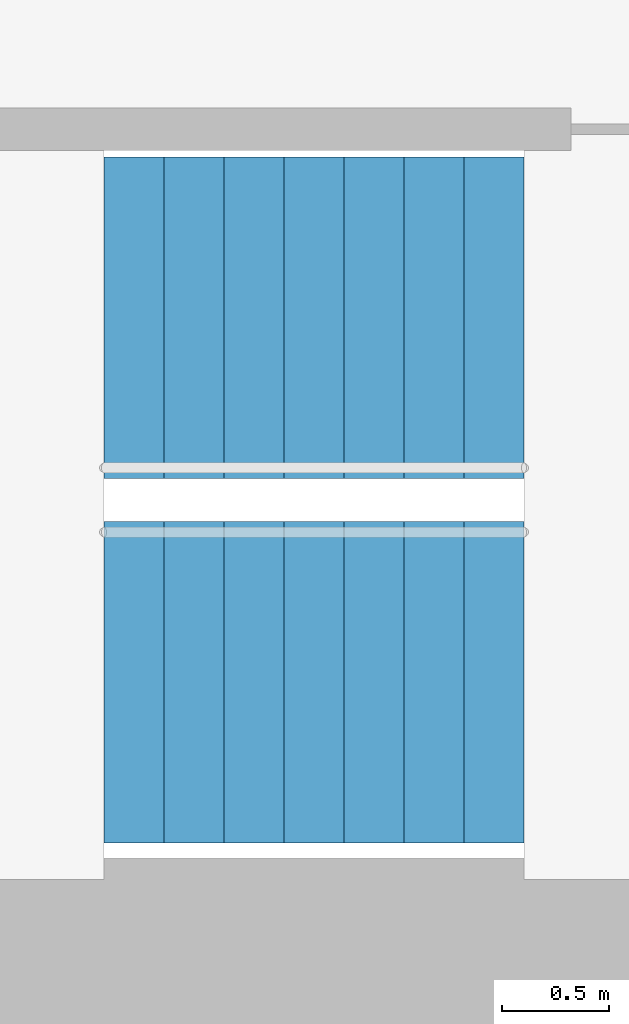
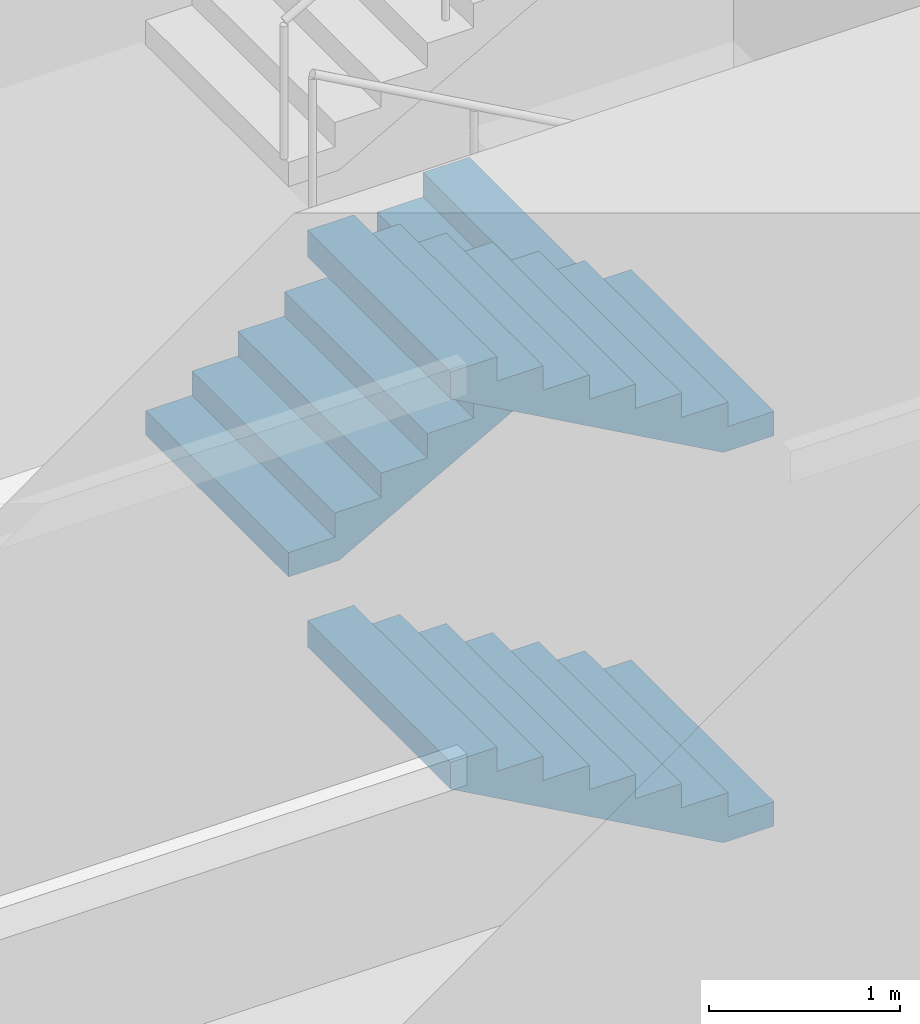
# One storey, part 32 of 73: 3 stair flights, 1 element without a shape of its own.
"""IFC4 building model written with IfcOpenShell, lengths in metres."""

from ifc_helpers import new_model, si_unit, direction, frame, origin, place, context, subcontext, project, spatial, triangles, material, type_object, element, aggregate, save


model = new_model("IFC4")

# Units and contexts
model_context = context("Model", 3, precision=1e-05, world=origin(), true_north=direction((0.0, 1.0)))
body_context = subcontext(model_context, "Body", "Model", "MODEL_VIEW")
ifc_project = project(units=[si_unit("LENGTHUNIT", "METRE"), si_unit("AREAUNIT", "SQUARE_METRE"), si_unit("VOLUMEUNIT", "CUBIC_METRE"), si_unit("PLANEANGLEUNIT", "RADIAN"), si_unit("MASSUNIT", "GRAM", prefix="KILO")], contexts=[model_context])

# Site, building, storey
site_placement = place(None, origin())
site = spatial("IfcSite", under=ifc_project, at=site_placement, CompositionType="ELEMENT")
building_placement = place(site_placement, origin())
building = spatial("IfcBuilding", under=site, at=building_placement, Name="Lantaw Convention Tower", CompositionType="ELEMENT")
storey_placement = place(building_placement, frame((0.0, 0.0, 27.0)))
storey = spatial("IfcBuildingStorey", under=building, at=storey_placement, Name="L04", CompositionType="ELEMENT", Elevation=27.0)

# Stair, stair flights
ifc_material = material(Name="Concrete C35/45", Category="concrete")
stair_type = type_object("IfcStairType", Name="Exit stair 1500 riser 156.25 in 4 flights", PredefinedType="HALF_TURN_STAIR", material=ifc_material)
stair_placement = place(storey_placement, origin())
stair = element("IfcStair", 1, at=stair_placement, inside=storey, type_object=stair_type, Name="Exit stair S2 L04", PredefinedType="HALF_TURN_STAIR")
stair_flight_type = type_object("IfcStairFlightType", Name="Stair flight 1500 riser 156.25", PredefinedType="STRAIGHT", material=ifc_material)
stair_flight_1_placement = place(storey_placement, frame((10.580078125, -5.97998046875, 0.0), z_axis=(0.0, 0.0, 1.0), x_axis=(-1.0, 0.0, 0.0)))
stair_flight_1 = element("IfcStairFlight", 2, at=stair_flight_1_placement, type_object=stair_flight_type, Name="S2 flight 1", NumberOfRisers=8, NumberOfTreads=7, PredefinedType="STRAIGHT", RiserHeight=0.15625, TreadLength=0.28, context=body_context, shape_type="Tessellation", body=[
    triangles([(0.0, 0.75, 0.0), (0.0, 0.75, 0.15625), (0.28, 0.75, 0.0), (0.28, 0.75, 0.15625), (0.28, 0.75, 0.3125), (0.3076200632058044, 0.75, 0.0), (0.3076200632058044, 0.75, 0.3125), (0.56, 0.75, 0.14083701830033238), (0.56, 0.75, 0.3125), (0.56, 0.75, 0.46875), (0.8400000000000001, 0.75, 0.29708701830033235), (0.8400000000000001, 0.75, 0.46875), (0.8400000000000001, 0.75, 0.625), (1.12, 0.75, 0.45333701830033235), (1.12, 0.75, 0.625), (1.12, 0.75, 0.78125), (1.4000000000000001, 0.75, 0.6095870183003324), (1.4000000000000001, 0.75, 0.78125), (1.4000000000000001, 0.75, 0.9375), (1.6800000000000002, 0.75, 0.7658370183003324), (1.6800000000000002, 0.75, 0.9375), (1.6800000000000002, 0.75, 1.09375), (1.9600000000000002, 0.75, 0.9220870183003324), (1.9600000000000002, 0.75, 1.09375), (0.0, -0.75, 0.0), (0.0, -0.75, 0.15625), (0.28, -0.75, 0.0), (0.28, -0.75, 0.15625), (0.28, -0.75, 0.3125), (0.3076200632058044, -0.75, 0.0), (0.3076200632058044, -0.75, 0.3125), (0.56, -0.75, 0.14083701830033238), (0.56, -0.75, 0.3125), (0.56, -0.75, 0.46875), (0.8400000000000001, -0.75, 0.29708701830033235), (0.8400000000000001, -0.75, 0.46875), (0.8400000000000001, -0.75, 0.625), (1.12, -0.75, 0.45333701830033235), (1.12, -0.75, 0.625), (1.12, -0.75, 0.78125), (1.4000000000000001, -0.75, 0.6095870183003324), (1.4000000000000001, -0.75, 0.78125), (1.4000000000000001, -0.75, 0.9375), (1.6800000000000002, -0.75, 0.7658370183003324), (1.6800000000000002, -0.75, 0.9375), (1.6800000000000002, -0.75, 1.09375), (1.9600000000000002, -0.75, 0.9220870183003324), (1.9600000000000002, -0.75, 1.09375), (0.0, 0.15000000000000002, 0.15625), (0.0, 0.15000000000000002, 0.0), (0.0, 0.0, 0.15625), (0.0, 0.0, 0.0), (0.0, -0.15000000000000002, 0.15625), (0.0, -0.15000000000000002, 0.0), (0.28, 0.15000000000000002, 0.3125), (0.28, 0.15000000000000002, 0.15625), (0.28, 0.0, 0.3125), (0.28, 0.0, 0.15625), (0.28, -0.15000000000000002, 0.3125), (0.28, -0.15000000000000002, 0.15625), (0.56, 0.15000000000000002, 0.46875), (0.56, 0.15000000000000002, 0.3125), (0.56, 0.0, 0.46875), (0.56, 0.0, 0.3125), (0.56, -0.15000000000000002, 0.46875), (0.56, -0.15000000000000002, 0.3125), (0.8400000000000001, 0.15000000000000002, 0.625), (0.8400000000000001, 0.15000000000000002, 0.46875), (0.8400000000000001, 0.0, 0.625), (0.8400000000000001, 0.0, 0.46875), (0.8400000000000001, -0.15000000000000002, 0.625), (0.8400000000000001, -0.15000000000000002, 0.46875), (1.12, 0.15000000000000002, 0.78125), (1.12, 0.15000000000000002, 0.625), (1.12, 0.0, 0.78125), (1.12, 0.0, 0.625), (1.12, -0.15000000000000002, 0.78125), (1.12, -0.15000000000000002, 0.625), (1.4000000000000001, 0.15000000000000002, 0.9375), (1.4000000000000001, 0.15000000000000002, 0.78125), (1.4000000000000001, 0.0, 0.9375), (1.4000000000000001, 0.0, 0.78125), (1.4000000000000001, -0.15000000000000002, 0.9375), (1.4000000000000001, -0.15000000000000002, 0.78125), (1.6800000000000002, 0.15000000000000002, 1.09375), (1.6800000000000002, 0.15000000000000002, 0.9375), (1.6800000000000002, 0.0, 1.09375), (1.6800000000000002, 0.0, 0.9375), (1.6800000000000002, -0.15000000000000002, 1.09375), (1.6800000000000002, -0.15000000000000002, 0.9375), (0.3076200632058044, 0.15000000000000002, 0.3125), (0.3076200632058044, 0.0, 0.3125), (0.3076200632058044, -0.15000000000000002, 0.3125), (1.9600000000000002, 0.15000000000000002, 1.09375), (1.9600000000000002, 0.0, 1.09375), (1.9600000000000002, -0.15000000000000002, 1.09375), (1.9600000000000002, 0.15000000000000002, 0.9220870183003324), (1.9600000000000002, 0.0, 0.9220870183003324), (1.9600000000000002, -0.15000000000000002, 0.9220870183003324), (1.6800000000000002, 0.15000000000000002, 0.7658370183003324), (1.6800000000000002, 0.0, 0.7658370183003324), (1.6800000000000002, -0.15000000000000002, 0.7658370183003324), (1.4000000000000001, 0.15000000000000002, 0.6095870183003324), (1.4000000000000001, 0.0, 0.6095870183003324), (1.4000000000000001, -0.15000000000000002, 0.6095870183003324), (1.12, 0.15000000000000002, 0.45333701830033235), (1.12, 0.0, 0.45333701830033235), (1.12, -0.15000000000000002, 0.45333701830033235), (0.8400000000000001, 0.15000000000000002, 0.29708701830033235), (0.8400000000000001, 0.0, 0.29708701830033235), (0.8400000000000001, -0.15000000000000002, 0.29708701830033235), (0.56, 0.15000000000000002, 0.14083701830033238), (0.56, 0.0, 0.14083701830033238), (0.56, -0.15000000000000002, 0.14083701830033238), (0.3076200632058044, 0.15000000000000002, 0.0), (0.3076200632058044, 0.0, 0.0), (0.3076200632058044, -0.15000000000000002, 0.0), (0.28, 0.15000000000000002, 0.0), (0.28, 0.0, 0.0), (0.28, -0.15000000000000002, 0.0)], [[1, 4, 3], [1, 2, 4], [3, 4, 6], [4, 7, 6], [4, 5, 7], [6, 9, 8], [6, 7, 9], [8, 9, 11], [9, 12, 11], [9, 10, 12], [11, 12, 14], [12, 15, 14], [12, 13, 15], [14, 15, 17], [15, 18, 17], [15, 16, 18], [17, 18, 20], [18, 21, 20], [18, 19, 21], [20, 21, 23], [21, 24, 23], [21, 22, 24], [25, 27, 28], [25, 28, 26], [27, 30, 28], [28, 30, 31], [28, 31, 29], [30, 32, 33], [30, 33, 31], [32, 35, 33], [33, 35, 36], [33, 36, 34], [35, 38, 36], [36, 38, 39], [36, 39, 37], [38, 41, 39], [39, 41, 42], [39, 42, 40], [41, 44, 42], [42, 44, 45], [42, 45, 43], [44, 47, 45], [45, 47, 48], [45, 48, 46], [1, 49, 2], [1, 50, 49], [50, 51, 49], [50, 52, 51], [52, 53, 51], [52, 54, 53], [54, 26, 53], [54, 25, 26], [4, 55, 5], [4, 56, 55], [56, 57, 55], [56, 58, 57], [58, 59, 57], [58, 60, 59], [60, 29, 59], [60, 28, 29], [9, 61, 10], [9, 62, 61], [62, 63, 61], [62, 64, 63], [64, 65, 63], [64, 66, 65], [66, 34, 65], [66, 33, 34], [12, 67, 13], [12, 68, 67], [68, 69, 67], [68, 70, 69], [70, 71, 69], [70, 72, 71], [72, 37, 71], [72, 36, 37], [15, 73, 16], [15, 74, 73], [74, 75, 73], [74, 76, 75], [76, 77, 75], [76, 78, 77], [78, 40, 77], [78, 39, 40], [18, 79, 19], [18, 80, 79], [80, 81, 79], [80, 82, 81], [82, 83, 81], [82, 84, 83], [84, 43, 83], [84, 42, 43], [21, 85, 22], [21, 86, 85], [86, 87, 85], [86, 88, 87], [88, 89, 87], [88, 90, 89], [90, 46, 89], [90, 45, 46], [2, 56, 4], [2, 49, 56], [49, 58, 56], [49, 51, 58], [51, 60, 58], [51, 53, 60], [53, 28, 60], [53, 26, 28], [5, 91, 7], [5, 55, 91], [55, 92, 91], [55, 57, 92], [57, 93, 92], [57, 59, 93], [59, 31, 93], [59, 29, 31], [7, 62, 9], [7, 91, 62], [91, 64, 62], [91, 92, 64], [92, 66, 64], [92, 93, 66], [93, 33, 66], [93, 31, 33], [10, 68, 12], [10, 61, 68], [61, 70, 68], [61, 63, 70], [63, 72, 70], [63, 65, 72], [65, 36, 72], [65, 34, 36], [13, 74, 15], [13, 67, 74], [67, 76, 74], [67, 69, 76], [69, 78, 76], [69, 71, 78], [71, 39, 78], [71, 37, 39], [16, 80, 18], [16, 73, 80], [73, 82, 80], [73, 75, 82], [75, 84, 82], [75, 77, 84], [77, 42, 84], [77, 40, 42], [19, 86, 21], [19, 79, 86], [79, 88, 86], [79, 81, 88], [81, 90, 88], [81, 83, 90], [83, 45, 90], [83, 43, 45], [22, 94, 24], [22, 85, 94], [85, 95, 94], [85, 87, 95], [87, 96, 95], [87, 89, 96], [89, 48, 96], [89, 46, 48], [24, 97, 23], [24, 94, 97], [94, 98, 97], [94, 95, 98], [95, 99, 98], [95, 96, 99], [96, 47, 99], [96, 48, 47], [23, 100, 20], [23, 97, 100], [97, 101, 100], [97, 98, 101], [98, 102, 101], [98, 99, 102], [99, 44, 102], [99, 47, 44], [20, 103, 17], [20, 100, 103], [100, 104, 103], [100, 101, 104], [101, 105, 104], [101, 102, 105], [102, 41, 105], [102, 44, 41], [17, 106, 14], [17, 103, 106], [103, 107, 106], [103, 104, 107], [104, 108, 107], [104, 105, 108], [105, 38, 108], [105, 41, 38], [14, 109, 11], [14, 106, 109], [106, 110, 109], [106, 107, 110], [107, 111, 110], [107, 108, 111], [108, 35, 111], [108, 38, 35], [11, 112, 8], [11, 109, 112], [109, 113, 112], [109, 110, 113], [110, 114, 113], [110, 111, 114], [111, 32, 114], [111, 35, 32], [8, 115, 6], [8, 112, 115], [112, 116, 115], [112, 113, 116], [113, 117, 116], [113, 114, 117], [114, 30, 117], [114, 32, 30], [6, 118, 3], [6, 115, 118], [115, 119, 118], [115, 116, 119], [116, 120, 119], [116, 117, 120], [117, 27, 120], [117, 30, 27], [3, 50, 1], [3, 118, 50], [118, 52, 50], [118, 119, 52], [119, 54, 52], [119, 120, 54], [120, 25, 54], [120, 27, 25]], closed=True),
])
stair_flight_2_placement = place(storey_placement, frame((8.6201171875, -4.280029296875, 1.25), z_axis=(0.0, 0.0, 1.0), x_axis=(1.0, 0.0, 0.0)))
stair_flight_2 = element("IfcStairFlight", 3, at=stair_flight_2_placement, type_object=stair_flight_type, Name="S2 flight 2", NumberOfRisers=8, NumberOfTreads=7, PredefinedType="STRAIGHT", RiserHeight=0.15625, TreadLength=0.28, context=body_context, shape_type="Tessellation", body=[
    triangles([(0.0, 0.75, 0.0), (0.0, 0.75, 0.15625), (0.28, 0.75, 0.0), (0.28, 0.75, 0.15625), (0.28, 0.75, 0.3125), (0.3076200632058044, 0.75, 0.0), (0.3076200632058044, 0.75, 0.3125), (0.56, 0.75, 0.14083701830033238), (0.56, 0.75, 0.3125), (0.56, 0.75, 0.46875), (0.8400000000000001, 0.75, 0.29708701830033235), (0.8400000000000001, 0.75, 0.46875), (0.8400000000000001, 0.75, 0.625), (1.12, 0.75, 0.45333701830033235), (1.12, 0.75, 0.625), (1.12, 0.75, 0.78125), (1.4000000000000001, 0.75, 0.6095870183003324), (1.4000000000000001, 0.75, 0.78125), (1.4000000000000001, 0.75, 0.9375), (1.6800000000000002, 0.75, 0.7658370183003324), (1.6800000000000002, 0.75, 0.9375), (1.6800000000000002, 0.75, 1.09375), (1.9600000000000002, 0.75, 0.9220870183003324), (1.9600000000000002, 0.75, 1.09375), (0.0, -0.75, 0.0), (0.0, -0.75, 0.15625), (0.28, -0.75, 0.0), (0.28, -0.75, 0.15625), (0.28, -0.75, 0.3125), (0.3076200632058044, -0.75, 0.0), (0.3076200632058044, -0.75, 0.3125), (0.56, -0.75, 0.14083701830033238), (0.56, -0.75, 0.3125), (0.56, -0.75, 0.46875), (0.8400000000000001, -0.75, 0.29708701830033235), (0.8400000000000001, -0.75, 0.46875), (0.8400000000000001, -0.75, 0.625), (1.12, -0.75, 0.45333701830033235), (1.12, -0.75, 0.625), (1.12, -0.75, 0.78125), (1.4000000000000001, -0.75, 0.6095870183003324), (1.4000000000000001, -0.75, 0.78125), (1.4000000000000001, -0.75, 0.9375), (1.6800000000000002, -0.75, 0.7658370183003324), (1.6800000000000002, -0.75, 0.9375), (1.6800000000000002, -0.75, 1.09375), (1.9600000000000002, -0.75, 0.9220870183003324), (1.9600000000000002, -0.75, 1.09375), (0.0, 0.15000000000000002, 0.15625), (0.0, 0.15000000000000002, 0.0), (0.0, 0.0, 0.15625), (0.0, 0.0, 0.0), (0.0, -0.15000000000000002, 0.15625), (0.0, -0.15000000000000002, 0.0), (0.28, 0.15000000000000002, 0.3125), (0.28, 0.15000000000000002, 0.15625), (0.28, 0.0, 0.3125), (0.28, 0.0, 0.15625), (0.28, -0.15000000000000002, 0.3125), (0.28, -0.15000000000000002, 0.15625), (0.56, 0.15000000000000002, 0.46875), (0.56, 0.15000000000000002, 0.3125), (0.56, 0.0, 0.46875), (0.56, 0.0, 0.3125), (0.56, -0.15000000000000002, 0.46875), (0.56, -0.15000000000000002, 0.3125), (0.8400000000000001, 0.15000000000000002, 0.625), (0.8400000000000001, 0.15000000000000002, 0.46875), (0.8400000000000001, 0.0, 0.625), (0.8400000000000001, 0.0, 0.46875), (0.8400000000000001, -0.15000000000000002, 0.625), (0.8400000000000001, -0.15000000000000002, 0.46875), (1.12, 0.15000000000000002, 0.78125), (1.12, 0.15000000000000002, 0.625), (1.12, 0.0, 0.78125), (1.12, 0.0, 0.625), (1.12, -0.15000000000000002, 0.78125), (1.12, -0.15000000000000002, 0.625), (1.4000000000000001, 0.15000000000000002, 0.9375), (1.4000000000000001, 0.15000000000000002, 0.78125), (1.4000000000000001, 0.0, 0.9375), (1.4000000000000001, 0.0, 0.78125), (1.4000000000000001, -0.15000000000000002, 0.9375), (1.4000000000000001, -0.15000000000000002, 0.78125), (1.6800000000000002, 0.15000000000000002, 1.09375), (1.6800000000000002, 0.15000000000000002, 0.9375), (1.6800000000000002, 0.0, 1.09375), (1.6800000000000002, 0.0, 0.9375), (1.6800000000000002, -0.15000000000000002, 1.09375), (1.6800000000000002, -0.15000000000000002, 0.9375), (0.3076200632058044, 0.15000000000000002, 0.3125), (0.3076200632058044, 0.0, 0.3125), (0.3076200632058044, -0.15000000000000002, 0.3125), (1.9600000000000002, 0.15000000000000002, 1.09375), (1.9600000000000002, 0.0, 1.09375), (1.9600000000000002, -0.15000000000000002, 1.09375), (1.9600000000000002, 0.15000000000000002, 0.9220870183003324), (1.9600000000000002, 0.0, 0.9220870183003324), (1.9600000000000002, -0.15000000000000002, 0.9220870183003324), (1.6800000000000002, 0.15000000000000002, 0.7658370183003324), (1.6800000000000002, 0.0, 0.7658370183003324), (1.6800000000000002, -0.15000000000000002, 0.7658370183003324), (1.4000000000000001, 0.15000000000000002, 0.6095870183003324), (1.4000000000000001, 0.0, 0.6095870183003324), (1.4000000000000001, -0.15000000000000002, 0.6095870183003324), (1.12, 0.15000000000000002, 0.45333701830033235), (1.12, 0.0, 0.45333701830033235), (1.12, -0.15000000000000002, 0.45333701830033235), (0.8400000000000001, 0.15000000000000002, 0.29708701830033235), (0.8400000000000001, 0.0, 0.29708701830033235), (0.8400000000000001, -0.15000000000000002, 0.29708701830033235), (0.56, 0.15000000000000002, 0.14083701830033238), (0.56, 0.0, 0.14083701830033238), (0.56, -0.15000000000000002, 0.14083701830033238), (0.3076200632058044, 0.15000000000000002, 0.0), (0.3076200632058044, 0.0, 0.0), (0.3076200632058044, -0.15000000000000002, 0.0), (0.28, 0.15000000000000002, 0.0), (0.28, 0.0, 0.0), (0.28, -0.15000000000000002, 0.0)], [[1, 4, 3], [1, 2, 4], [3, 4, 6], [4, 7, 6], [4, 5, 7], [6, 9, 8], [6, 7, 9], [8, 9, 11], [9, 12, 11], [9, 10, 12], [11, 12, 14], [12, 15, 14], [12, 13, 15], [14, 15, 17], [15, 18, 17], [15, 16, 18], [17, 18, 20], [18, 21, 20], [18, 19, 21], [20, 21, 23], [21, 24, 23], [21, 22, 24], [25, 27, 28], [25, 28, 26], [27, 30, 28], [28, 30, 31], [28, 31, 29], [30, 32, 33], [30, 33, 31], [32, 35, 33], [33, 35, 36], [33, 36, 34], [35, 38, 36], [36, 38, 39], [36, 39, 37], [38, 41, 39], [39, 41, 42], [39, 42, 40], [41, 44, 42], [42, 44, 45], [42, 45, 43], [44, 47, 45], [45, 47, 48], [45, 48, 46], [1, 49, 2], [1, 50, 49], [50, 51, 49], [50, 52, 51], [52, 53, 51], [52, 54, 53], [54, 26, 53], [54, 25, 26], [4, 55, 5], [4, 56, 55], [56, 57, 55], [56, 58, 57], [58, 59, 57], [58, 60, 59], [60, 29, 59], [60, 28, 29], [9, 61, 10], [9, 62, 61], [62, 63, 61], [62, 64, 63], [64, 65, 63], [64, 66, 65], [66, 34, 65], [66, 33, 34], [12, 67, 13], [12, 68, 67], [68, 69, 67], [68, 70, 69], [70, 71, 69], [70, 72, 71], [72, 37, 71], [72, 36, 37], [15, 73, 16], [15, 74, 73], [74, 75, 73], [74, 76, 75], [76, 77, 75], [76, 78, 77], [78, 40, 77], [78, 39, 40], [18, 79, 19], [18, 80, 79], [80, 81, 79], [80, 82, 81], [82, 83, 81], [82, 84, 83], [84, 43, 83], [84, 42, 43], [21, 85, 22], [21, 86, 85], [86, 87, 85], [86, 88, 87], [88, 89, 87], [88, 90, 89], [90, 46, 89], [90, 45, 46], [2, 56, 4], [2, 49, 56], [49, 58, 56], [49, 51, 58], [51, 60, 58], [51, 53, 60], [53, 28, 60], [53, 26, 28], [5, 91, 7], [5, 55, 91], [55, 92, 91], [55, 57, 92], [57, 93, 92], [57, 59, 93], [59, 31, 93], [59, 29, 31], [7, 62, 9], [7, 91, 62], [91, 64, 62], [91, 92, 64], [92, 66, 64], [92, 93, 66], [93, 33, 66], [93, 31, 33], [10, 68, 12], [10, 61, 68], [61, 70, 68], [61, 63, 70], [63, 72, 70], [63, 65, 72], [65, 36, 72], [65, 34, 36], [13, 74, 15], [13, 67, 74], [67, 76, 74], [67, 69, 76], [69, 78, 76], [69, 71, 78], [71, 39, 78], [71, 37, 39], [16, 80, 18], [16, 73, 80], [73, 82, 80], [73, 75, 82], [75, 84, 82], [75, 77, 84], [77, 42, 84], [77, 40, 42], [19, 86, 21], [19, 79, 86], [79, 88, 86], [79, 81, 88], [81, 90, 88], [81, 83, 90], [83, 45, 90], [83, 43, 45], [22, 94, 24], [22, 85, 94], [85, 95, 94], [85, 87, 95], [87, 96, 95], [87, 89, 96], [89, 48, 96], [89, 46, 48], [24, 97, 23], [24, 94, 97], [94, 98, 97], [94, 95, 98], [95, 99, 98], [95, 96, 99], [96, 47, 99], [96, 48, 47], [23, 100, 20], [23, 97, 100], [97, 101, 100], [97, 98, 101], [98, 102, 101], [98, 99, 102], [99, 44, 102], [99, 47, 44], [20, 103, 17], [20, 100, 103], [100, 104, 103], [100, 101, 104], [101, 105, 104], [101, 102, 105], [102, 41, 105], [102, 44, 41], [17, 106, 14], [17, 103, 106], [103, 107, 106], [103, 104, 107], [104, 108, 107], [104, 105, 108], [105, 38, 108], [105, 41, 38], [14, 109, 11], [14, 106, 109], [106, 110, 109], [106, 107, 110], [107, 111, 110], [107, 108, 111], [108, 35, 111], [108, 38, 35], [11, 112, 8], [11, 109, 112], [109, 113, 112], [109, 110, 113], [110, 114, 113], [110, 111, 114], [111, 32, 114], [111, 35, 32], [8, 115, 6], [8, 112, 115], [112, 116, 115], [112, 113, 116], [113, 117, 116], [113, 114, 117], [114, 30, 117], [114, 32, 30], [6, 118, 3], [6, 115, 118], [115, 119, 118], [115, 116, 119], [116, 120, 119], [116, 117, 120], [117, 27, 120], [117, 30, 27], [3, 50, 1], [3, 118, 50], [118, 52, 50], [118, 119, 52], [119, 54, 52], [119, 120, 54], [120, 25, 54], [120, 27, 25]], closed=True),
])
stair_flight_3_placement = place(storey_placement, frame((10.580078125, -5.97998046875, 2.5), z_axis=(0.0, 0.0, 1.0), x_axis=(-1.0, 0.0, 0.0)))
stair_flight_3 = element("IfcStairFlight", 4, at=stair_flight_3_placement, type_object=stair_flight_type, Name="S2 flight 3", NumberOfRisers=8, NumberOfTreads=7, PredefinedType="STRAIGHT", RiserHeight=0.15625, TreadLength=0.28, context=body_context, shape_type="Tessellation", body=[
    triangles([(0.0, 0.75, 0.0), (0.0, 0.75, 0.15625), (0.28, 0.75, 0.0), (0.28, 0.75, 0.15625), (0.28, 0.75, 0.3125), (0.3076200632058044, 0.75, 0.0), (0.3076200632058044, 0.75, 0.3125), (0.56, 0.75, 0.14083701830033238), (0.56, 0.75, 0.3125), (0.56, 0.75, 0.46875), (0.8400000000000001, 0.75, 0.29708701830033235), (0.8400000000000001, 0.75, 0.46875), (0.8400000000000001, 0.75, 0.625), (1.12, 0.75, 0.45333701830033235), (1.12, 0.75, 0.625), (1.12, 0.75, 0.78125), (1.4000000000000001, 0.75, 0.6095870183003324), (1.4000000000000001, 0.75, 0.78125), (1.4000000000000001, 0.75, 0.9375), (1.6800000000000002, 0.75, 0.7658370183003324), (1.6800000000000002, 0.75, 0.9375), (1.6800000000000002, 0.75, 1.09375), (1.9600000000000002, 0.75, 0.9220870183003324), (1.9600000000000002, 0.75, 1.09375), (0.0, -0.75, 0.0), (0.0, -0.75, 0.15625), (0.28, -0.75, 0.0), (0.28, -0.75, 0.15625), (0.28, -0.75, 0.3125), (0.3076200632058044, -0.75, 0.0), (0.3076200632058044, -0.75, 0.3125), (0.56, -0.75, 0.14083701830033238), (0.56, -0.75, 0.3125), (0.56, -0.75, 0.46875), (0.8400000000000001, -0.75, 0.29708701830033235), (0.8400000000000001, -0.75, 0.46875), (0.8400000000000001, -0.75, 0.625), (1.12, -0.75, 0.45333701830033235), (1.12, -0.75, 0.625), (1.12, -0.75, 0.78125), (1.4000000000000001, -0.75, 0.6095870183003324), (1.4000000000000001, -0.75, 0.78125), (1.4000000000000001, -0.75, 0.9375), (1.6800000000000002, -0.75, 0.7658370183003324), (1.6800000000000002, -0.75, 0.9375), (1.6800000000000002, -0.75, 1.09375), (1.9600000000000002, -0.75, 0.9220870183003324), (1.9600000000000002, -0.75, 1.09375), (0.0, 0.15000000000000002, 0.15625), (0.0, 0.15000000000000002, 0.0), (0.0, 0.0, 0.15625), (0.0, 0.0, 0.0), (0.0, -0.15000000000000002, 0.15625), (0.0, -0.15000000000000002, 0.0), (0.28, 0.15000000000000002, 0.3125), (0.28, 0.15000000000000002, 0.15625), (0.28, 0.0, 0.3125), (0.28, 0.0, 0.15625), (0.28, -0.15000000000000002, 0.3125), (0.28, -0.15000000000000002, 0.15625), (0.56, 0.15000000000000002, 0.46875), (0.56, 0.15000000000000002, 0.3125), (0.56, 0.0, 0.46875), (0.56, 0.0, 0.3125), (0.56, -0.15000000000000002, 0.46875), (0.56, -0.15000000000000002, 0.3125), (0.8400000000000001, 0.15000000000000002, 0.625), (0.8400000000000001, 0.15000000000000002, 0.46875), (0.8400000000000001, 0.0, 0.625), (0.8400000000000001, 0.0, 0.46875), (0.8400000000000001, -0.15000000000000002, 0.625), (0.8400000000000001, -0.15000000000000002, 0.46875), (1.12, 0.15000000000000002, 0.78125), (1.12, 0.15000000000000002, 0.625), (1.12, 0.0, 0.78125), (1.12, 0.0, 0.625), (1.12, -0.15000000000000002, 0.78125), (1.12, -0.15000000000000002, 0.625), (1.4000000000000001, 0.15000000000000002, 0.9375), (1.4000000000000001, 0.15000000000000002, 0.78125), (1.4000000000000001, 0.0, 0.9375), (1.4000000000000001, 0.0, 0.78125), (1.4000000000000001, -0.15000000000000002, 0.9375), (1.4000000000000001, -0.15000000000000002, 0.78125), (1.6800000000000002, 0.15000000000000002, 1.09375), (1.6800000000000002, 0.15000000000000002, 0.9375), (1.6800000000000002, 0.0, 1.09375), (1.6800000000000002, 0.0, 0.9375), (1.6800000000000002, -0.15000000000000002, 1.09375), (1.6800000000000002, -0.15000000000000002, 0.9375), (0.3076200632058044, 0.15000000000000002, 0.3125), (0.3076200632058044, 0.0, 0.3125), (0.3076200632058044, -0.15000000000000002, 0.3125), (1.9600000000000002, 0.15000000000000002, 1.09375), (1.9600000000000002, 0.0, 1.09375), (1.9600000000000002, -0.15000000000000002, 1.09375), (1.9600000000000002, 0.15000000000000002, 0.9220870183003324), (1.9600000000000002, 0.0, 0.9220870183003324), (1.9600000000000002, -0.15000000000000002, 0.9220870183003324), (1.6800000000000002, 0.15000000000000002, 0.7658370183003324), (1.6800000000000002, 0.0, 0.7658370183003324), (1.6800000000000002, -0.15000000000000002, 0.7658370183003324), (1.4000000000000001, 0.15000000000000002, 0.6095870183003324), (1.4000000000000001, 0.0, 0.6095870183003324), (1.4000000000000001, -0.15000000000000002, 0.6095870183003324), (1.12, 0.15000000000000002, 0.45333701830033235), (1.12, 0.0, 0.45333701830033235), (1.12, -0.15000000000000002, 0.45333701830033235), (0.8400000000000001, 0.15000000000000002, 0.29708701830033235), (0.8400000000000001, 0.0, 0.29708701830033235), (0.8400000000000001, -0.15000000000000002, 0.29708701830033235), (0.56, 0.15000000000000002, 0.14083701830033238), (0.56, 0.0, 0.14083701830033238), (0.56, -0.15000000000000002, 0.14083701830033238), (0.3076200632058044, 0.15000000000000002, 0.0), (0.3076200632058044, 0.0, 0.0), (0.3076200632058044, -0.15000000000000002, 0.0), (0.28, 0.15000000000000002, 0.0), (0.28, 0.0, 0.0), (0.28, -0.15000000000000002, 0.0)], [[1, 4, 3], [1, 2, 4], [3, 4, 6], [4, 7, 6], [4, 5, 7], [6, 9, 8], [6, 7, 9], [8, 9, 11], [9, 12, 11], [9, 10, 12], [11, 12, 14], [12, 15, 14], [12, 13, 15], [14, 15, 17], [15, 18, 17], [15, 16, 18], [17, 18, 20], [18, 21, 20], [18, 19, 21], [20, 21, 23], [21, 24, 23], [21, 22, 24], [25, 27, 28], [25, 28, 26], [27, 30, 28], [28, 30, 31], [28, 31, 29], [30, 32, 33], [30, 33, 31], [32, 35, 33], [33, 35, 36], [33, 36, 34], [35, 38, 36], [36, 38, 39], [36, 39, 37], [38, 41, 39], [39, 41, 42], [39, 42, 40], [41, 44, 42], [42, 44, 45], [42, 45, 43], [44, 47, 45], [45, 47, 48], [45, 48, 46], [1, 49, 2], [1, 50, 49], [50, 51, 49], [50, 52, 51], [52, 53, 51], [52, 54, 53], [54, 26, 53], [54, 25, 26], [4, 55, 5], [4, 56, 55], [56, 57, 55], [56, 58, 57], [58, 59, 57], [58, 60, 59], [60, 29, 59], [60, 28, 29], [9, 61, 10], [9, 62, 61], [62, 63, 61], [62, 64, 63], [64, 65, 63], [64, 66, 65], [66, 34, 65], [66, 33, 34], [12, 67, 13], [12, 68, 67], [68, 69, 67], [68, 70, 69], [70, 71, 69], [70, 72, 71], [72, 37, 71], [72, 36, 37], [15, 73, 16], [15, 74, 73], [74, 75, 73], [74, 76, 75], [76, 77, 75], [76, 78, 77], [78, 40, 77], [78, 39, 40], [18, 79, 19], [18, 80, 79], [80, 81, 79], [80, 82, 81], [82, 83, 81], [82, 84, 83], [84, 43, 83], [84, 42, 43], [21, 85, 22], [21, 86, 85], [86, 87, 85], [86, 88, 87], [88, 89, 87], [88, 90, 89], [90, 46, 89], [90, 45, 46], [2, 56, 4], [2, 49, 56], [49, 58, 56], [49, 51, 58], [51, 60, 58], [51, 53, 60], [53, 28, 60], [53, 26, 28], [5, 91, 7], [5, 55, 91], [55, 92, 91], [55, 57, 92], [57, 93, 92], [57, 59, 93], [59, 31, 93], [59, 29, 31], [7, 62, 9], [7, 91, 62], [91, 64, 62], [91, 92, 64], [92, 66, 64], [92, 93, 66], [93, 33, 66], [93, 31, 33], [10, 68, 12], [10, 61, 68], [61, 70, 68], [61, 63, 70], [63, 72, 70], [63, 65, 72], [65, 36, 72], [65, 34, 36], [13, 74, 15], [13, 67, 74], [67, 76, 74], [67, 69, 76], [69, 78, 76], [69, 71, 78], [71, 39, 78], [71, 37, 39], [16, 80, 18], [16, 73, 80], [73, 82, 80], [73, 75, 82], [75, 84, 82], [75, 77, 84], [77, 42, 84], [77, 40, 42], [19, 86, 21], [19, 79, 86], [79, 88, 86], [79, 81, 88], [81, 90, 88], [81, 83, 90], [83, 45, 90], [83, 43, 45], [22, 94, 24], [22, 85, 94], [85, 95, 94], [85, 87, 95], [87, 96, 95], [87, 89, 96], [89, 48, 96], [89, 46, 48], [24, 97, 23], [24, 94, 97], [94, 98, 97], [94, 95, 98], [95, 99, 98], [95, 96, 99], [96, 47, 99], [96, 48, 47], [23, 100, 20], [23, 97, 100], [97, 101, 100], [97, 98, 101], [98, 102, 101], [98, 99, 102], [99, 44, 102], [99, 47, 44], [20, 103, 17], [20, 100, 103], [100, 104, 103], [100, 101, 104], [101, 105, 104], [101, 102, 105], [102, 41, 105], [102, 44, 41], [17, 106, 14], [17, 103, 106], [103, 107, 106], [103, 104, 107], [104, 108, 107], [104, 105, 108], [105, 38, 108], [105, 41, 38], [14, 109, 11], [14, 106, 109], [106, 110, 109], [106, 107, 110], [107, 111, 110], [107, 108, 111], [108, 35, 111], [108, 38, 35], [11, 112, 8], [11, 109, 112], [109, 113, 112], [109, 110, 113], [110, 114, 113], [110, 111, 114], [111, 32, 114], [111, 35, 32], [8, 115, 6], [8, 112, 115], [112, 116, 115], [112, 113, 116], [113, 117, 116], [113, 114, 117], [114, 30, 117], [114, 32, 30], [6, 118, 3], [6, 115, 118], [115, 119, 118], [115, 116, 119], [116, 120, 119], [116, 117, 120], [117, 27, 120], [117, 30, 27], [3, 50, 1], [3, 118, 50], [118, 52, 50], [118, 119, 52], [119, 54, 52], [119, 120, 54], [120, 25, 54], [120, 27, 25]], closed=True),
])
aggregate(stair, [stair_flight_1, stair_flight_2, stair_flight_3])

save(model, "model.ifc")
